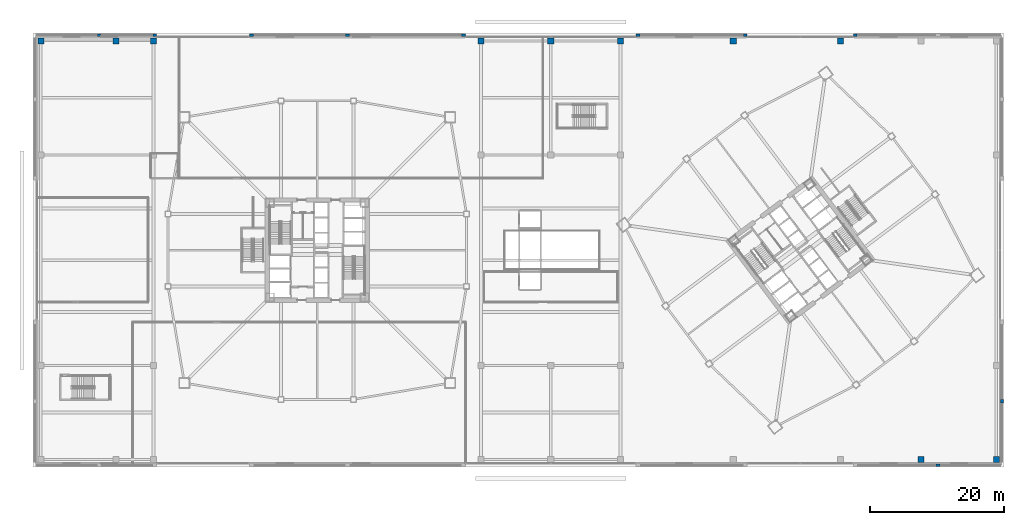
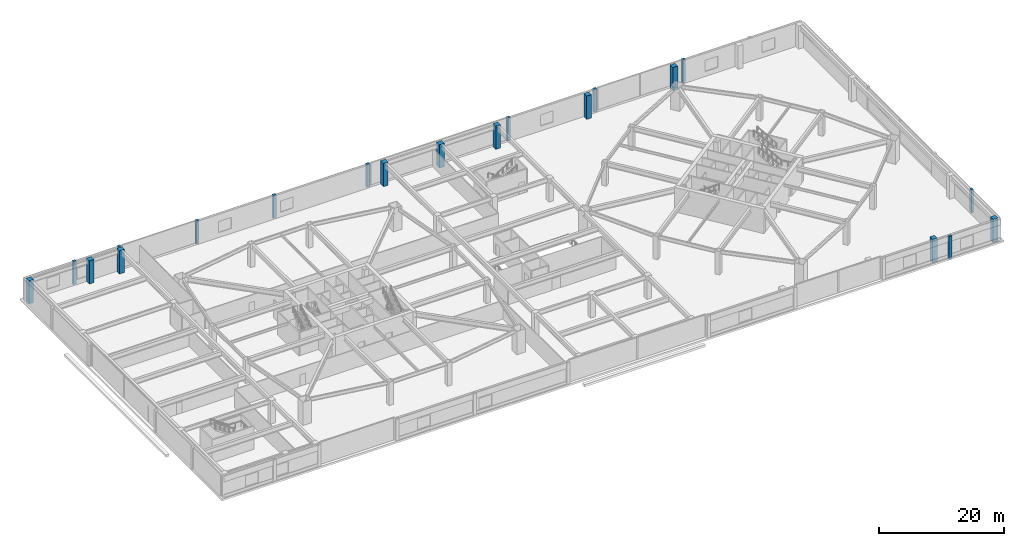
# One storey, part 3 of 44: 20 columns.
"""IFC4 building model written with IfcOpenShell, lengths in metres."""

import ifcopenshell
import ifcopenshell.guid

model = None  # the IFC model being written
_history = None  # IfcOwnerHistory: only IFC2X3 demands one
_inside = {}  # id of a spatial element -> (the spatial element, [elements in it])
_under = {}  # id of a project, library or spatial element -> (it, [spatial elements below it])
_declared = {}  # id of a project -> (the project, [libraries it declares])
_typed = {}  # id of a type object -> (the type object, [elements of that type])
_made_of = {}  # id of a material, layer set ... -> (it, [elements and type objects made of it])


def new_model(schema):
    """Start an empty IFC model of exactly this schema.

    Asked for "IFC4X3", IfcOpenShell would pick the latest addendum, in which some entities
    have other attributes; the version numbers below select the first issue.
    IFC2X3 requires an IfcOwnerHistory on every rooted entity: one is made here for all.
    """
    global model, _history
    if schema == "IFC4X3":
        model = ifcopenshell.file(schema_version=(4, 3, 0, 0))
    else:
        model = ifcopenshell.file(schema=schema)
    _inside.clear()
    _under.clear()
    _declared.clear()
    _typed.clear()
    _made_of.clear()
    _history = None
    if model.schema == "IFC2X3":
        org = make("IfcOrganization", Name="unknown")
        user = make(
            "IfcPersonAndOrganization",
            ThePerson=make("IfcPerson", FamilyName="unknown"),
            TheOrganization=org,
        )
        app = make(
            "IfcApplication",
            ApplicationDeveloper=org,
            Version="unknown",
            ApplicationFullName="unknown",
            ApplicationIdentifier="unknown",
        )
        _history = make(
            "IfcOwnerHistory",
            OwningUser=user,
            OwningApplication=app,
            ChangeAction="ADDED",
            CreationDate=0,
        )
    return model


def make(cls, **values):
    """One entity of the class cls with the attributes given. An attribute that is None is left unset."""
    return model.create_entity(
        cls, **{name: value for name, value in values.items() if value is not None}
    )


def rooted(cls, **values):
    """An entity with a GlobalId (a new one), such as an element, a storey or a relation."""
    return make(cls, GlobalId=ifcopenshell.guid.new(), OwnerHistory=_history, **values)


def si_unit(unit_type, name, prefix=None):
    """IfcSIUnit, for example si_unit("LENGTHUNIT", "METRE", prefix="MILLI")."""
    return make("IfcSIUnit", UnitType=unit_type, Prefix=prefix, Name=name)


def assignment(units):
    """IfcUnitAssignment: the units of a project."""
    return None if units is None else make("IfcUnitAssignment", Units=units)


def point(xyz):
    """IfcCartesianPoint."""
    return None if xyz is None else make("IfcCartesianPoint", Coordinates=xyz)


def direction(xyz):
    """IfcDirection."""
    return None if xyz is None else make("IfcDirection", DirectionRatios=xyz)


def frame(location, z_axis=None, x_axis=None):
    """IfcAxis2Placement3D, a coordinate frame: its origin and axes. An axis left out is left unset."""
    return make(
        "IfcAxis2Placement3D",
        Location=point(location),
        Axis=direction(z_axis),
        RefDirection=direction(x_axis),
    )


def frame_2d(location, x_axis=None):
    """IfcAxis2Placement2D, a coordinate frame in the plane: its origin and x axis."""
    return make(
        "IfcAxis2Placement2D", Location=point(location), RefDirection=direction(x_axis)
    )


def origin():
    """The frame at (0, 0, 0) with its axes left unset."""
    return frame((0.0, 0.0, 0.0))


def origin_2d():
    """The frame at (0, 0) in the plane with its x axis left unset."""
    return frame_2d((0.0, 0.0))


def place(relative_to, where):
    """IfcLocalPlacement: puts the frame where relative to a parent placement (None: the world)."""
    return make(
        "IfcLocalPlacement", PlacementRelTo=relative_to, RelativePlacement=where
    )


def context(
    kind, dimensions, precision=None, world=None, true_north=None, identifier=None
):
    """IfcGeometricRepresentationContext, for example the 3D "Model" context."""
    return make(
        "IfcGeometricRepresentationContext",
        ContextIdentifier=identifier,
        ContextType=kind,
        CoordinateSpaceDimension=dimensions,
        Precision=precision,
        WorldCoordinateSystem=world,
        TrueNorth=true_north,
    )


def subcontext(parent, identifier, kind, view, scale=None):
    """IfcGeometricRepresentationSubContext, for example "Body" below "Model"."""
    return make(
        "IfcGeometricRepresentationSubContext",
        ContextIdentifier=identifier,
        ContextType=kind,
        ParentContext=parent,
        TargetScale=scale,
        TargetView=view,
    )


def project(units=None, contexts=None):
    """IfcProject with its units and contexts."""
    return rooted(
        "IfcProject",
        Name="project",
        RepresentationContexts=contexts,
        UnitsInContext=assignment(units),
    )


def spatial(cls, under=None, at=None, **own):
    """A site, building, storey or space (cls), placed at a placement, below another one or the project."""
    s = rooted(cls, ObjectPlacement=at, **own)
    if under is not None:
        _under.setdefault(under.id(), (under, []))[1].append(s)
    return s


def profile(cls, at=None, kind="AREA", **sizes):
    """A parametric profile (cls). Its sizes go by their IFC names, for example OverallWidth=200.0."""
    return make(cls, ProfileType=kind, Position=at, **sizes)


def rectangle(**sizes):
    """IfcRectangleProfileDef."""
    return profile("IfcRectangleProfileDef", **sizes)


def extrude(swept, where, along, depth):
    """IfcExtrudedAreaSolid: the profile swept, set in the frame where, extruded along a direction by depth."""
    return make(
        "IfcExtrudedAreaSolid",
        SweptArea=swept,
        Position=where,
        ExtrudedDirection=direction(along),
        Depth=depth,
    )


def shape(context_of_items, identifier, shape_type, items):
    """IfcShapeRepresentation: the items that make up one representation, for example the "Body"."""
    return make(
        "IfcShapeRepresentation",
        ContextOfItems=context_of_items,
        RepresentationIdentifier=identifier,
        RepresentationType=shape_type,
        Items=items,
    )


def material(Name=None, Category=None):
    """IfcMaterial."""
    return make("IfcMaterial", Name=Name, Category=Category)


def material_profile(
    of_material, cross_section, Name=None, Category=None, Priority=None
):
    """IfcMaterialProfile: a cross section and its material."""
    return make(
        "IfcMaterialProfile",
        Name=Name,
        Material=of_material,
        Profile=cross_section,
        Priority=Priority,
        Category=Category,
    )


def profile_set(profiles, Name=None, composite=None):
    """IfcMaterialProfileSet."""
    return make(
        "IfcMaterialProfileSet",
        Name=Name,
        MaterialProfiles=profiles,
        CompositeProfile=composite,
    )


def made_of(thing, what):
    """Note that an element or type object is made of a material, layer set ...; save() writes the relation."""
    if what is not None:
        _made_of.setdefault(what.id(), (what, []))[1].append(thing)
    return thing


def type_object(cls, material=None, **own):
    """A type object (cls), such as IfcWallType, which elements share."""
    return made_of(rooted(cls, **own), material)


def element(
    cls,
    number,
    at=None,
    inside=None,
    cuts=None,
    type_object=None,
    material=None,
    context=None,
    identifier="Body",
    shape_type=None,
    held_by="IfcProductDefinitionShape",
    body=None,
    shapes=None,
    **own,
):
    """One element of the class cls, such as IfcWall. Its Tag is "e" and its number.

    at: its placement. inside: the storey or other place that contains it. cuts: it is an
    opening in that element (IfcRelVoidsElement). A single representation is given by context,
    identifier, shape_type and body (its items); several are given by shapes. held_by: the class
    of the entity that holds the representations. save() writes the other relations.
    """
    e = rooted(cls, Tag="e%d" % number, ObjectPlacement=at, **own)
    if body is not None:
        shapes = [shape(context, identifier, shape_type, body)]
    if shapes is not None:
        e.Representation = make(held_by, Representations=shapes)
    if inside is not None:
        _inside.setdefault(inside.id(), (inside, []))[1].append(e)
    if cuts is not None:
        rooted(
            "IfcRelVoidsElement", RelatingBuildingElement=cuts, RelatedOpeningElement=e
        )
    if type_object is not None:
        _typed.setdefault(type_object.id(), (type_object, []))[1].append(e)
    return made_of(e, material)


def aggregate(whole, parts):
    """IfcRelAggregates: a whole, such as a stair, and the parts it consists of."""
    return rooted("IfcRelAggregates", RelatingObject=whole, RelatedObjects=parts)


def save(model, path):
    """Write the relations noted so far, then the file.

    IfcRelAggregates (storeys below a building ...), IfcRelContainedInSpatialStructure (elements
    in a storey), IfcRelDefinesByType, IfcRelAssociatesMaterial and IfcRelDeclares: one each for
    every whole, place, type object, material and project.
    """
    for whole, parts in _under.values():
        aggregate(whole, parts)
    for where, things in _inside.values():
        rooted(
            "IfcRelContainedInSpatialStructure",
            RelatedElements=things,
            RelatingStructure=where,
        )
    for kind, things in _typed.values():
        rooted("IfcRelDefinesByType", RelatedObjects=things, RelatingType=kind)
    for what, things in _made_of.values():
        rooted("IfcRelAssociatesMaterial", RelatedObjects=things, RelatingMaterial=what)
    for by, libraries in _declared.values():
        rooted("IfcRelDeclares", RelatingContext=by, RelatedDefinitions=libraries)
    model.write(path)


model = new_model("IFC4")

# Units and contexts
model_context = context("Model", 3, precision=1e-05, world=origin(), true_north=direction((0.0, 1.0)))
body_context = subcontext(model_context, "Body", "Model", "MODEL_VIEW")
ifc_project = project(units=[si_unit("LENGTHUNIT", "METRE"), si_unit("AREAUNIT", "SQUARE_METRE"), si_unit("VOLUMEUNIT", "CUBIC_METRE"), si_unit("PLANEANGLEUNIT", "RADIAN"), si_unit("MASSUNIT", "GRAM", prefix="KILO")], contexts=[model_context])

# Site, building, storey
site_placement = place(None, origin())
site = spatial("IfcSite", under=ifc_project, at=site_placement, CompositionType="ELEMENT")
building_placement = place(site_placement, origin())
building = spatial("IfcBuilding", under=site, at=building_placement, Name="Tashvorn Skyway Center", CompositionType="ELEMENT")
storey_placement = place(building_placement, frame((0.0, 0.0, 5.39990234375)))
storey = spatial("IfcBuildingStorey", under=building, at=storey_placement, Name="L01", CompositionType="ELEMENT", Elevation=5.39990234375)

# Columns
ifc_material_1 = material(Name="Concrete C50/60", Category="concrete")
ifc_material_profile_1 = material_profile(ifc_material_1, rectangle(XDim=0.89990234375, YDim=0.89990234375, at=origin_2d()), Name="RC900x900")
ifc_profile_set_1 = profile_set([ifc_material_profile_1], Name="Concrete C50/60")
column_type_1 = type_object("IfcColumnType", Name="COL-RC900x900", PredefinedType="COLUMN", material=ifc_profile_set_1)
for number, where, z_axis, x_axis, name in (
    (1, (0.800048828125, 63.199951171875, 0.0), (0.0, 0.0, 1.0), (1.0, 0.0, 0.0), "L01 Podium Column PC-01-2"),
    (2, (12.0, 63.199951171875, 0.0), (0.0, 0.0, 1.0), (1.0, 0.0, 0.0), "L01 Podium Column PC-02-2"),
    (3, (17.60009765625, 63.199951171875, 0.0), (0.0, 0.0, 1.0), (1.0, 0.0, 0.0), "L01 Podium Column PC-03-2"),
    (4, (66.39990234375, 63.199951171875, 0.0), (0.0, 0.0, 1.0), (1.0, 0.0, 0.0), "L01 Podium Column PC-04-2"),
    (5, (76.800048828125, 63.199951171875, 0.0), (0.0, 0.0, 1.0), (1.0, 0.0, 0.0), "L01 Podium Column PC-05-2"),
    (6, (87.199951171875, 63.199951171875, 0.0), (0.0, 0.0, 1.0), (1.0, 0.0, 0.0), "L01 Podium Column PC-06-2"),
    (7, (104.0, 63.199951171875, 0.0), (0.0, 0.0, 1.0), (1.0, 0.0, 0.0), "L01 Podium Column PC-07-2"),
    (8, (120.0, 63.199951171875, 0.0), (0.0, 0.0, 1.0), (1.0, 0.0, 0.0), "L01 Podium Column PC-08-2"),
    (9, (132.0, 0.800048828125, 0.0), (0.0, 0.0, 1.0), (1.0, 0.0, 0.0), "L01 Podium Column PC-09-1"),
    (10, (143.199951171875, 0.800048828125, 0.0), (0.0, 0.0, 1.0), (1.0, 0.0, 0.0), "L01 Podium Column PC-10-1"),
):
    element("IfcColumn", number, at=place(storey_placement, frame(where, z_axis=z_axis, x_axis=x_axis)), inside=storey, type_object=column_type_1, Name=name, PredefinedType="COLUMN", context=body_context, shape_type="SweptSolid", body=[
        extrude(rectangle(XDim=0.89990234375, YDim=0.89990234375, at=origin_2d()), origin(), (0.0, 0.0, 1.0), 4.5400390625),
    ])
ifc_material_2 = material(Name="Precast concrete C40/50", Category="concrete")
ifc_material_profile_2 = material_profile(ifc_material_2, rectangle(XDim=0.550048828125, YDim=0.39990234375, at=origin_2d()), Name="RCPIL550x400")
ifc_profile_set_2 = profile_set([ifc_material_profile_2], Name="Precast concrete C40/50")
column_type_2 = type_object("IfcColumnType", Name="PIL-RCPIL550x400", PredefinedType="PILASTER", material=ifc_profile_set_2)
for number, where, z_axis, x_axis, name in (
    (11, (9.5, 64.050048828125, 0.0), (0.0, 0.0, 1.0), (1.0, 0.0, 0.0), "L01 North Terracotta Colonnade Pilaster 1"),
    (12, (17.800048828125, 64.050048828125, 0.0), (0.0, 0.0, 1.0), (1.0, 0.0, 0.0), "L01 North Terracotta Colonnade Pilaster 2"),
    (13, (32.199951171875, 64.050048828125, 0.0), (0.0, 0.0, 1.0), (1.0, 0.0, 0.0), "L01 North Terracotta Colonnade Pilaster 3"),
    (14, (46.5, 64.050048828125, 0.0), (0.0, 0.0, 1.0), (1.0, 0.0, 0.0), "L01 North Terracotta Colonnade Pilaster 4"),
    (15, (63.800048828125, 64.050048828125, 0.0), (0.0, 0.0, 1.0), (1.0, 0.0, 0.0), "L01 North Terracotta Colonnade Pilaster 5"),
    (16, (89.800048828125, 64.050048828125, 0.0), (0.0, 0.0, 1.0), (1.0, 0.0, 0.0), "L01 North Terracotta Colonnade Pilaster 6"),
    (17, (105.800048828125, 64.050048828125, 0.0), (0.0, 0.0, 1.0), (1.0, 0.0, 0.0), "L01 North Terracotta Colonnade Pilaster 7"),
    (18, (122.199951171875, 64.050048828125, 0.0), (0.0, 0.0, 1.0), (1.0, 0.0, 0.0), "L01 North Terracotta Colonnade Pilaster 8"),
    (19, (134.5, -0.050048828125, 0.0), (0.0, 0.0, 1.0), (1.0, 0.0, 0.0), "L01 South Terracotta Colonnade Pilaster 9"),
    (20, (144.050048828125, 9.5, 0.0), (0.0, 0.0, 1.0), (0.0, 1.0, 0.0), "L01 East Terracotta Colonnade Pilaster 1"),
):
    element("IfcColumn", number, at=place(storey_placement, frame(where, z_axis=z_axis, x_axis=x_axis)), inside=storey, type_object=column_type_2, Name=name, PredefinedType="PILASTER", context=body_context, shape_type="SweptSolid", body=[
        extrude(rectangle(XDim=0.550048828125, YDim=0.39990234375, at=origin_2d()), origin(), (0.0, 0.0, 1.0), 4.5400390625),
    ])

save(model, "model.ifc")
